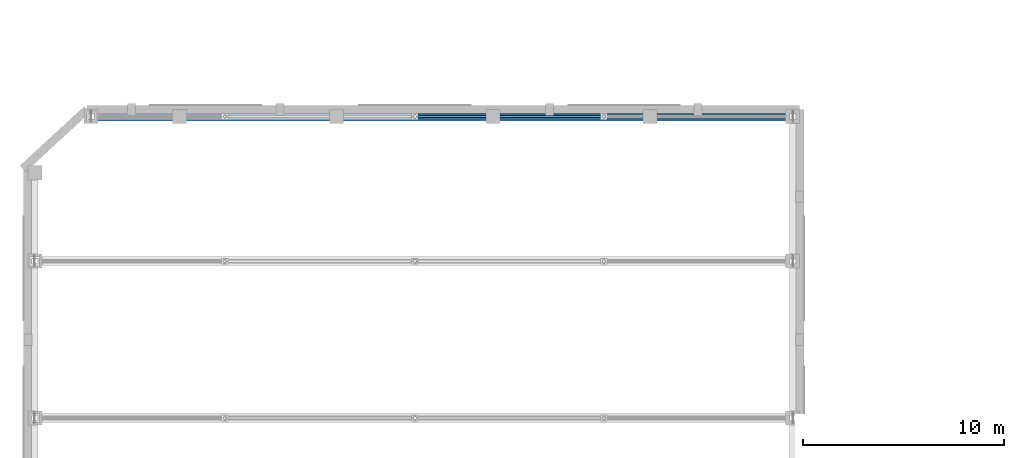
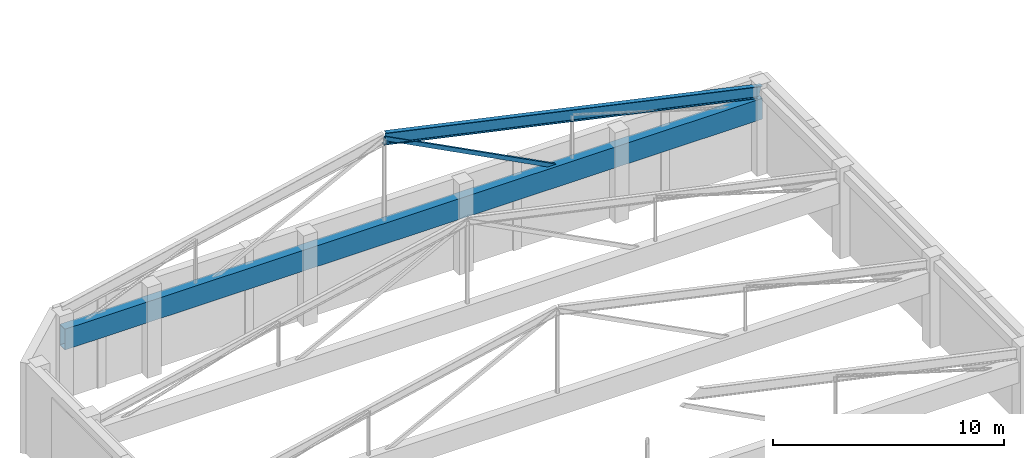
# One storey, part 40 of 105: 2 beams, 1 member.
"""IFC4 building model written with IfcOpenShell, lengths in metres."""

from ifc_helpers import new_model, si_unit, direction, frame, origin, origin_2d, place, context, subcontext, project, spatial, hollow_rectangle, i_section, extrude, material, material_profile, profile_set, type_object, element, save


model = new_model("IFC4")

# Units and contexts
model_context = context("Model", 3, precision=1e-05, world=origin(), true_north=direction((0.0, 1.0)))
body_context = subcontext(model_context, "Body", "Model", "MODEL_VIEW")
ifc_project = project(units=[si_unit("LENGTHUNIT", "METRE"), si_unit("AREAUNIT", "SQUARE_METRE"), si_unit("VOLUMEUNIT", "CUBIC_METRE"), si_unit("PLANEANGLEUNIT", "RADIAN"), si_unit("MASSUNIT", "GRAM", prefix="KILO")], contexts=[model_context])

# Site, building, storey
site_placement = place(None, origin())
site = spatial("IfcSite", under=ifc_project, at=site_placement, CompositionType="ELEMENT")
building_placement = place(site_placement, origin())
building = spatial("IfcBuilding", under=site, at=building_placement, Name="Pelvatis Terrace Science Centre", CompositionType="ELEMENT")
storey_placement = place(building_placement, frame((0.0, 0.0, 10.199951171875)))
storey = spatial("IfcBuildingStorey", under=building, at=storey_placement, Name="L02", CompositionType="ELEMENT", Elevation=10.199951171875)

# Beams
ifc_material_1 = material(Name="Structural steel S355", Category="steel")
ifc_material_profile_1 = material_profile(ifc_material_1, hollow_rectangle(XDim=0.449951171875, YDim=1.10009765625, WallThickness=0.02197265625, at=origin_2d()), Name="RHS 1100x450x22.0")
ifc_profile_set_1 = profile_set([ifc_material_profile_1], Name="Structural steel S355")
beam_type_1 = type_object("IfcBeamType", Name="BM-STL-BOX1100", PredefinedType="BEAM", material=ifc_profile_set_1)
beam_1_placement = place(storey_placement, frame((11.199951171875, 116.39990234375, 3.400146484375), z_axis=(1.0, 0.0, 0.0), x_axis=(0.0, 1.0, 0.0)))
element("IfcBeam", 1, at=beam_1_placement, inside=storey, type_object=beam_type_1, Name="Theatre roof truss 7 bottom tie girder", PredefinedType="BEAM", context=body_context, shape_type="SweptSolid", body=[
    extrude(hollow_rectangle(XDim=0.449951171875, YDim=1.10009765625, WallThickness=0.02197265625, at=origin_2d()), origin(), (0.0, 0.0, 1.0), 34.900146484375),
])
ifc_material_2 = material(Name="Structural steel S355", Category="steel")
ifc_material_profile_2 = material_profile(ifc_material_2, i_section(OverallWidth=0.22998046875, OverallDepth=0.616943359375, WebThickness=0.01318359375, FlangeThickness=0.022216796875, FilletRadius=0.01611328125, at=origin_2d()), Name="W610x140")
ifc_profile_set_2 = profile_set([ifc_material_profile_2], Name="Structural steel S355")
beam_type_2 = type_object("IfcBeamType", Name="BM-STL-W610x140", PredefinedType="BEAM", material=ifc_profile_set_2)
beam_2_placement = place(storey_placement, frame((27.300048828125, 116.39990234375, 8.300048828125), z_axis=(0.977034495262, 0.0, -0.213081193603), x_axis=(0.0, 1.0, 0.0)))
element("IfcBeam", 2, at=beam_2_placement, inside=storey, type_object=beam_type_2, Name="Theatre roof truss 7 east top girder", PredefinedType="BEAM", context=body_context, shape_type="SweptSolid", body=[
    extrude(i_section(OverallWidth=0.22998046875, OverallDepth=0.616943359375, WebThickness=0.01318359375, FlangeThickness=0.022216796875, FilletRadius=0.01611328125, at=origin_2d()), origin(), (0.0, 0.0, 1.0), 19.241943359375),
])

# Member
ifc_material_3 = material(Name="Structural steel S355", Category="steel")
ifc_material_profile_3 = material_profile(ifc_material_3, hollow_rectangle(XDim=0.1201171875, YDim=0.199951171875, WallThickness=0.00634765625, at=origin_2d()), Name="RHS 200x120x6.3")
ifc_profile_set_3 = profile_set([ifc_material_profile_3], Name="Structural steel S355")
member_type = type_object("IfcMemberType", Name="MEM-BRC-RHS200", PredefinedType="BRACE", material=ifc_profile_set_3)
member_placement = place(storey_placement, frame((36.699951171875, 116.39990234375, 3.400146484375), z_axis=(-0.886754801101, 0.0, 0.462240113711), x_axis=(0.0, -1.0, 0.0)))
element("IfcMember", 3, at=member_placement, inside=storey, type_object=member_type, Name="Theatre truss 7 web 6", PredefinedType="BRACE", context=body_context, shape_type="SweptSolid", body=[
    extrude(hollow_rectangle(XDim=0.1201171875, YDim=0.199951171875, WallThickness=0.00634765625, at=origin_2d()), origin(), (0.0, 0.0, 1.0), 10.600341796875),
])

save(model, "model.ifc")
